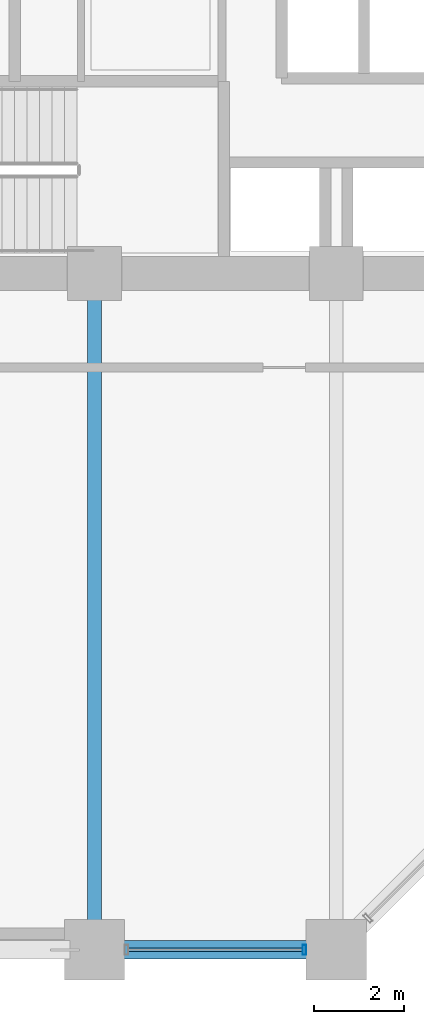
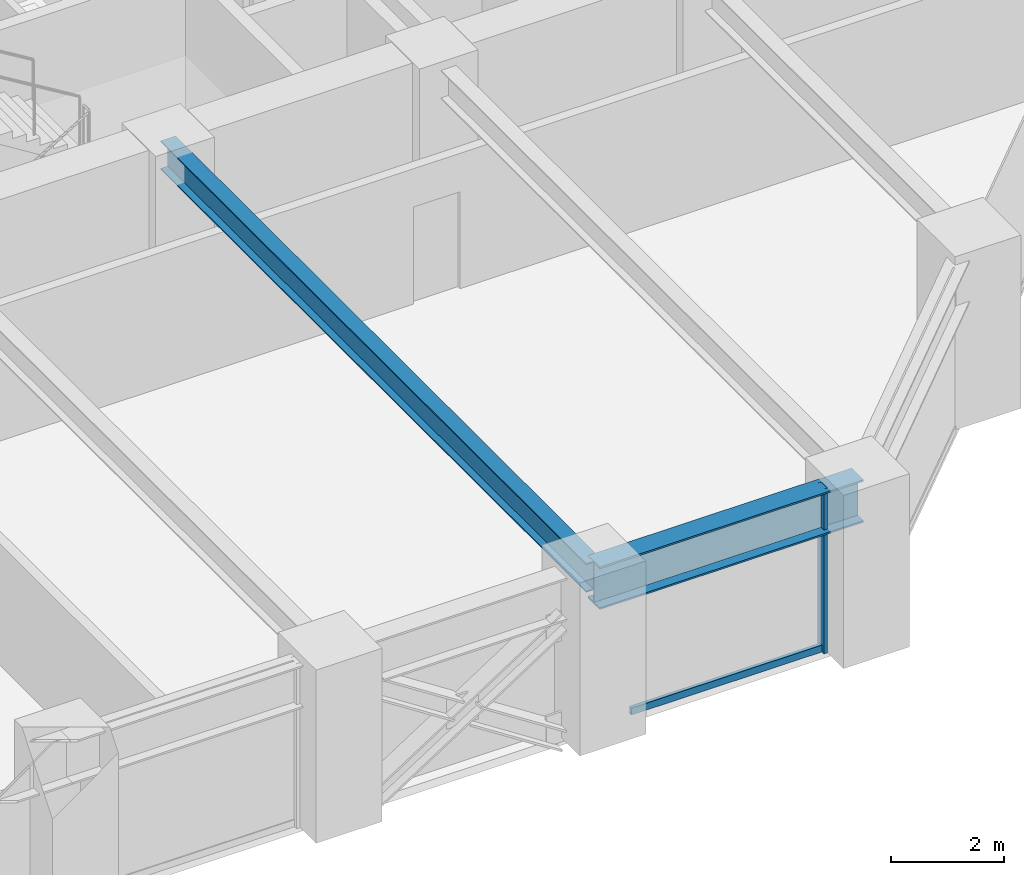
# One storey, part 5 of 25: 2 beams, 2 members, 1 element without a shape of its own.
"""IFC4 building model written with IfcOpenShell, lengths in metres."""

from ifc_helpers import new_model, si_unit, direction, frame, origin, origin_2d, place, context, subcontext, project, spatial, hollow_rectangle, i_section, extrude, material, layer, layer_set, material_profile, profile_set, type_object, element, aggregate, save


model = new_model("IFC4")

# Units and contexts
model_context = context("Model", 3, precision=1e-05, world=origin(), true_north=direction((0.0, 1.0)))
body_context = subcontext(model_context, "Body", "Model", "MODEL_VIEW")
ifc_project = project(units=[si_unit("LENGTHUNIT", "METRE"), si_unit("AREAUNIT", "SQUARE_METRE"), si_unit("VOLUMEUNIT", "CUBIC_METRE"), si_unit("PLANEANGLEUNIT", "RADIAN"), si_unit("MASSUNIT", "GRAM", prefix="KILO")], contexts=[model_context])

# Site, building, storey
site_placement = place(None, origin())
site = spatial("IfcSite", under=ifc_project, at=site_placement, CompositionType="ELEMENT")
building_placement = place(site_placement, origin())
building = spatial("IfcBuilding", under=site, at=building_placement, Name="Surkhivell Harbour Commons", CompositionType="ELEMENT")
storey_placement = place(building_placement, frame((0.0, 0.0, 37.5)))
storey = spatial("IfcBuildingStorey", under=building, at=storey_placement, Name="L09", CompositionType="ELEMENT", Elevation=37.5)

# Beams
ifc_material_1 = material(Name="Steel S355", Category="steel")
ifc_material_profile_1 = material_profile(ifc_material_1, i_section(OverallWidth=0.306884765625, OverallDepth=0.6201171875, WebThickness=0.01416015625, FlangeThickness=0.023681640625, at=origin_2d()), Name="UB610x305x179")
ifc_profile_set_1 = profile_set([ifc_material_profile_1], Name="Steel S355")
beam_type_1 = type_object("IfcBeamType", Name="BM-GRD-610A", PredefinedType="BEAM", material=ifc_profile_set_1)
beam_1_placement = place(storey_placement, frame((-5.39990234375, -25.89990234375, 3.260009765625), z_axis=(0.0, 1.0, 0.0), x_axis=(-1.0, 0.0, 0.0)))
element("IfcBeam", 1, at=beam_1_placement, inside=storey, type_object=beam_type_1, Name="L09 Floor Girder (-5.4,-25.9)", PredefinedType="BEAM", context=body_context, shape_type="SweptSolid", body=[
    extrude(i_section(OverallWidth=0.306884765625, OverallDepth=0.6201171875, WebThickness=0.01416015625, FlangeThickness=0.023681640625, at=origin_2d()), origin(), (0.0, 0.0, 1.0), 15.099853515625),
])
ifc_material_2 = material(Name="Steel S460", Category="steel")
ifc_material_profile_2 = material_profile(ifc_material_2, i_section(OverallWidth=0.419921875, OverallDepth=0.9208984375, WebThickness=0.021484375, FlangeThickness=0.03662109375, at=origin_2d()), Name="UB914x419x388")
ifc_profile_set_2 = profile_set([ifc_material_profile_2], Name="Steel S460")
beam_type_2 = type_object("IfcBeamType", Name="BM-SPN-914A", PredefinedType="SPANDREL", material=ifc_profile_set_2)
beam_2_placement = place(storey_placement, frame((-5.39990234375, -25.89990234375, 3.109619140625), z_axis=(1.0, 0.0, 0.0), x_axis=(0.0, 1.0, 0.0)))
element("IfcBeam", 2, at=beam_2_placement, inside=storey, type_object=beam_type_2, Name="L09 Tube Spandrel (-5.4,-25.9)", PredefinedType="SPANDREL", context=body_context, shape_type="SweptSolid", body=[
    extrude(i_section(OverallWidth=0.419921875, OverallDepth=0.9208984375, WebThickness=0.021484375, FlangeThickness=0.03662109375, at=origin_2d()), origin(), (0.0, 0.0, 1.0), 5.39990234375),
])

# Curtain wall, members
ifc_material_3 = material(Name="Anodised pale-metal aluminium and insulated glazing", Category="aluminium")
ifc_layer = layer(ifc_material_3, 0.219970703125)
ifc_layer_set = layer_set([ifc_layer], Name="Anodised pale-metal aluminium and insulated glazing")
curtain_wall_type = type_object("IfcCurtainWallType", Name="CW-SYS-Z1", PredefinedType="NOTDEFINED", material=ifc_layer_set)
curtain_wall_placement = place(storey_placement, origin())
curtain_wall = element("IfcCurtainWall", 3, at=curtain_wall_placement, inside=storey, type_object=curtain_wall_type, Name="L09 Curtain Wall CW-L09-E00S2", PredefinedType="NOTDEFINED")
ifc_material_4 = material(Name="Anodised pale-metal aluminium alloy 6063-T6", Category="aluminium")
ifc_material_profile_3 = material_profile(ifc_material_4, hollow_rectangle(XDim=0.074951171875, YDim=0.219970703125, WallThickness=0.00390625, at=origin_2d()), Name="ALU-MULL-75x220")
ifc_profile_set_3 = profile_set([ifc_material_profile_3], Name="Anodised pale-metal aluminium alloy 6063-T6")
member_type_1 = type_object("IfcMemberType", Name="CWM-220", PredefinedType="MULLION", material=ifc_profile_set_3)
member_1_placement = place(storey_placement, frame((-0.714599609375, -25.89990234375, 0.0), z_axis=(0.0, 0.0, 1.0), x_axis=(1.0, 0.0, 0.0)))
member_1 = element("IfcMember", 4, at=member_1_placement, type_object=member_type_1, Name="CW-Z1 mullion 2", PredefinedType="MULLION", context=body_context, shape_type="SweptSolid", body=[
    extrude(hollow_rectangle(XDim=0.074951171875, YDim=0.219970703125, WallThickness=0.00390625, at=origin_2d()), origin(), (0.0, 0.0, 1.0), 3.570068359375),
])
ifc_material_profile_4 = material_profile(ifc_material_4, hollow_rectangle(XDim=0.074951171875, YDim=0.14990234375, WallThickness=0.00341796875, at=origin_2d()), Name="ALU-TRAN-75x150")
ifc_profile_set_4 = profile_set([ifc_material_profile_4], Name="Anodised pale-metal aluminium alloy 6063-T6")
member_type_2 = type_object("IfcMemberType", Name="CWT-150", PredefinedType="USERDEFINED", material=ifc_profile_set_4)
member_2_placement = place(storey_placement, frame((-4.64794921875, -25.89990234375, 0.074951171875), z_axis=(1.0, 0.0, 0.0), x_axis=(0.0, 1.0, 0.0)))
member_2 = element("IfcMember", 5, at=member_2_placement, type_object=member_type_2, Name="CW-Z1 transom 1.1", ObjectType="TRANSOM", PredefinedType="USERDEFINED", context=body_context, shape_type="SweptSolid", body=[
    extrude(hollow_rectangle(XDim=0.074951171875, YDim=0.14990234375, WallThickness=0.00341796875, at=origin_2d()), origin(), (0.0, 0.0, 1.0), 3.89599609375),
])
aggregate(curtain_wall, [member_1, member_2])

save(model, "model.ifc")
